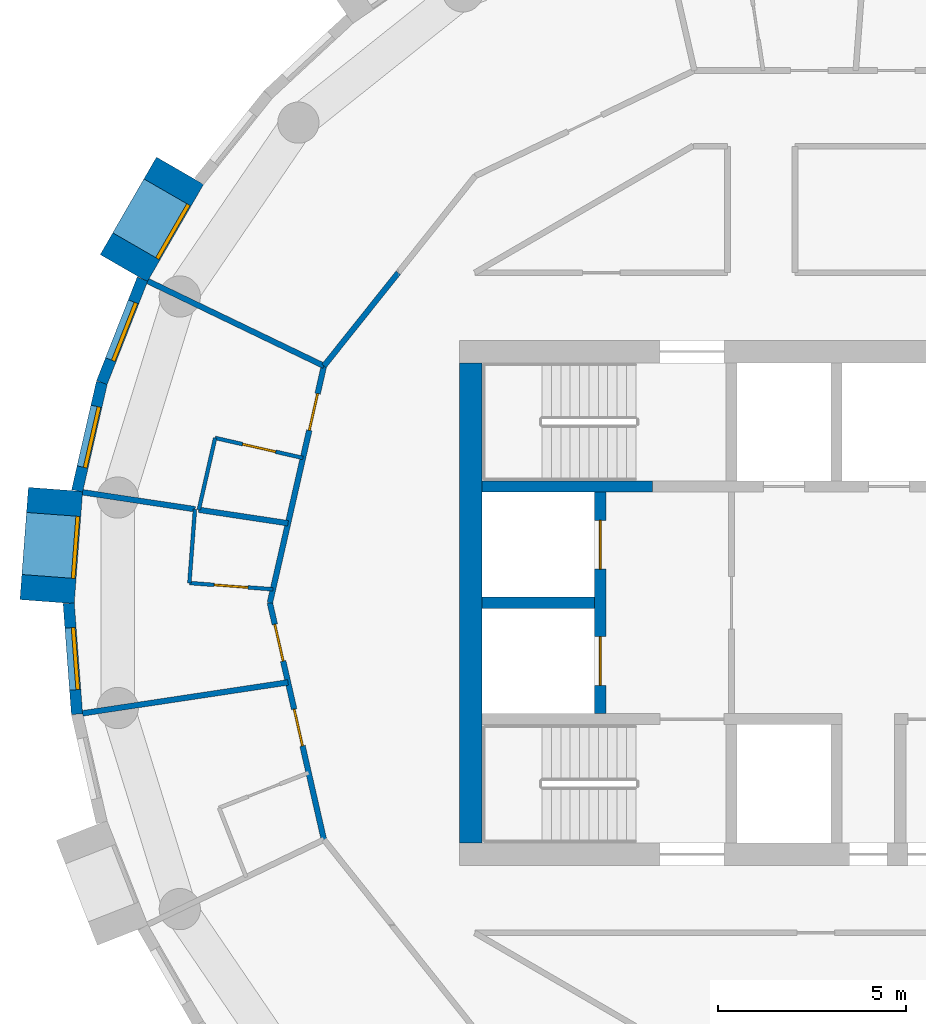
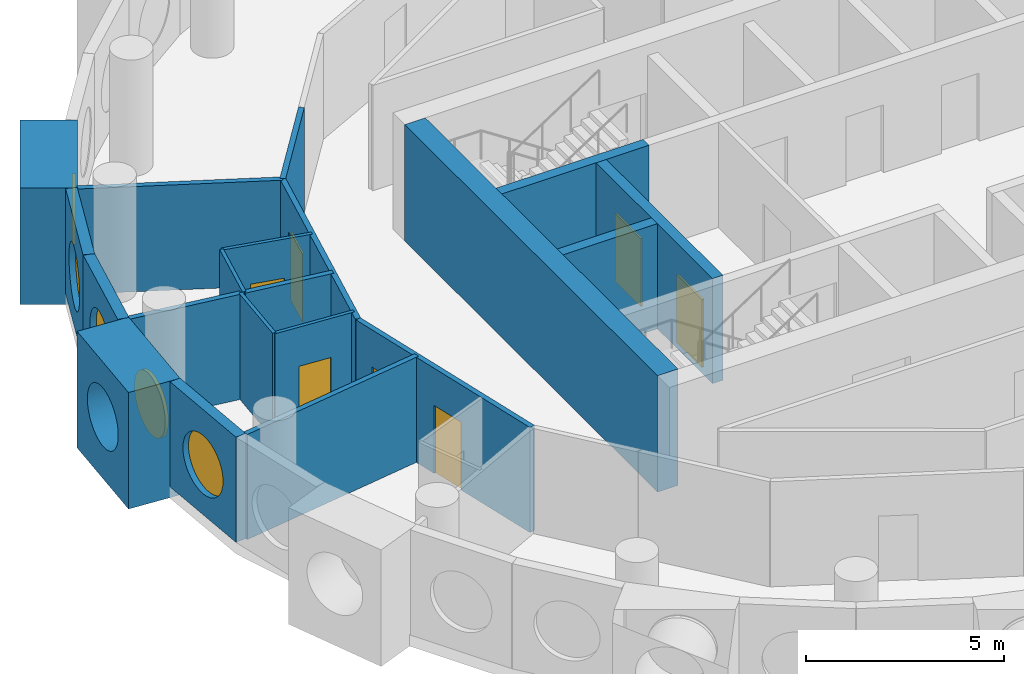
# One storey, part 5 of 12: 20 walls, 7 doors, 5 windows, 12 openings.
"""IFC4 building model written with IfcOpenShell, lengths in metres."""

from ifc_helpers import new_model, si_unit, direction, frame, frame_2d, origin, origin_2d, place, context, subcontext, project, spatial, rectangle, circle, extrude, material, layer, layer_set, type_object, element, fill, save


model = new_model("IFC4")

# Units and contexts
model_context = context("Model", 3, precision=1e-05, world=origin(), true_north=direction((0.0, 1.0)))
body_context = subcontext(model_context, "Body", "Model", "MODEL_VIEW")
ifc_project = project(units=[si_unit("LENGTHUNIT", "METRE"), si_unit("AREAUNIT", "SQUARE_METRE"), si_unit("VOLUMEUNIT", "CUBIC_METRE"), si_unit("PLANEANGLEUNIT", "RADIAN"), si_unit("MASSUNIT", "GRAM", prefix="KILO")], contexts=[model_context])

# Site, building, storey
site_placement = place(None, origin())
site = spatial("IfcSite", under=ifc_project, at=site_placement, CompositionType="ELEMENT")
building_placement = place(site_placement, origin())
building = spatial("IfcBuilding", under=site, at=building_placement, Name="Tracery Tower", CompositionType="ELEMENT")
storey_placement = place(building_placement, frame((0.0, 0.0, 241.800048828125)))
storey = spatial("IfcBuildingStorey", under=building, at=storey_placement, Name="L62", CompositionType="ELEMENT", Elevation=241.800048828125)

# Wall
ifc_material_1 = material(Name="Concrete C40/50", Category="concrete")
ifc_layer_1 = layer(ifc_material_1, 0.60009765625)
ifc_layer_set_1 = layer_set([ifc_layer_1], Name="Core wall 600 C40")
wall_type_1 = type_object("IfcWallType", Name="Core wall 600 C40", PredefinedType="SOLIDWALL", material=ifc_layer_set_1)
wall_1_placement = place(storey_placement, frame((-9.199951171875, -6.39990234375, 0.0), z_axis=(0.0, 0.0, 1.0), x_axis=(0.0, 1.0, 0.0)))
element("IfcWall", 1, at=wall_1_placement, inside=storey, type_object=wall_type_1, Name="L62 outer W", PredefinedType="SOLIDWALL", context=body_context, shape_type="SweptSolid", body=[
    extrude(rectangle(XDim=12.7998046875, YDim=0.60009765625, at=frame_2d((6.39990234375, 0.0))), origin(), (0.0, 0.0, 1.0), 3.599853515625),
])

# Wall, opening, window
ifc_material_2 = material(Name="Precast concrete C50/60", Category="concrete")
ifc_layer_2 = layer(ifc_material_2, 1.449951171875)
ifc_layer_set_2 = layer_set([ifc_layer_2], Name="Deep-set bay unit 3000 x 3600, slab edge 350")
wall_type_2 = type_object("IfcWallType", Name="Deep-set bay unit 3000 x 3600, slab edge 350", PredefinedType="ELEMENTEDWALL", material=ifc_layer_set_2)
wall_2_placement = place(storey_placement, frame((-16.952392578125, 11.51953125, -0.35009765625), z_axis=(0.0, 0.0, 1.0), x_axis=(-0.499990139034, -0.866031096941, 0.0)))
wall_2 = element("IfcWall", 2, at=wall_2_placement, inside=storey, type_object=wall_type_2, Name="Deep-set bay unit 18 at L62", PredefinedType="ELEMENTEDWALL", context=body_context, shape_type="SweptSolid", body=[
    extrude(rectangle(XDim=3.0, YDim=1.449951171875, at=frame_2d((1.5, 0.0))), origin(), (0.0, 0.0, 1.0), 3.60009765625),
])
opening_1_placement = place(wall_2_placement, frame((1.5, 0.0, 1.89990234375)))
opening_1 = element("IfcOpeningElement", 3, at=opening_1_placement, cuts=wall_2, Name="Opening WN1", PredefinedType="OPENING", context=body_context, shape_type="SweptSolid", body=[
    extrude(circle(Radius=0.9000244140625, at=origin_2d()), frame((0.0, 0.73486328125, 0.0), z_axis=(0.0, -1.0, 0.0), x_axis=(1.0, 0.0, 0.0)), (0.0, 0.0, 1.0), 1.469970703125),
])
ifc_material_3 = material(Name="Aluminium frame with tinted double glazing", Category="aluminium")
window_type = type_object("IfcWindowType", Name="Round window 1800", PartitioningType="SINGLE_PANEL", PredefinedType="WINDOW", material=ifc_material_3)
window_1_placement = place(opening_1_placement, origin())
window_1 = element("IfcWindow", 4, at=window_1_placement, inside=storey, type_object=window_type, Name="Round window 18 at L62", OverallHeight=1.800048828125, OverallWidth=1.800048828125, PartitioningType="SINGLE_PANEL", PredefinedType="WINDOW", context=body_context, shape_type="SweptSolid", body=[
    extrude(circle(Radius=0.9000244140625, at=origin_2d()), frame((0.0, 0.69482421875, 0.0), z_axis=(0.0, -1.0, 0.0), x_axis=(1.0, 0.0, 0.0)), (0.0, 0.0, 1.0), 0.10009765625),
])
fill(opening_1, window_1)

wall_3_placement = place(storey_placement, frame((-20.271728515625, 3.0234375, -0.35009765625), z_axis=(0.0, 0.0, 1.0), x_axis=(-0.074785902127, -0.997199613339, 0.0)))
wall_3 = element("IfcWall", 5, at=wall_3_placement, inside=storey, type_object=wall_type_2, Name="Deep-set bay unit 21 at L62", PredefinedType="ELEMENTEDWALL", context=body_context, shape_type="SweptSolid", body=[
    extrude(rectangle(XDim=3.0, YDim=1.449951171875, at=frame_2d((1.5, 0.0))), origin(), (0.0, 0.0, 1.0), 3.60009765625),
])
opening_2_placement = place(wall_3_placement, frame((1.5, 0.0, 1.89990234375)))
opening_2 = element("IfcOpeningElement", 6, at=opening_2_placement, cuts=wall_3, Name="Opening WN1", PredefinedType="OPENING", context=body_context, shape_type="SweptSolid", body=[
    extrude(circle(Radius=0.9000244140625, at=origin_2d()), frame((0.0, 0.73486328125, 0.0), z_axis=(0.0, -1.0, 0.0), x_axis=(1.0, 0.0, 0.0)), (0.0, 0.0, 1.0), 1.469970703125),
])
window_2_placement = place(opening_2_placement, origin())
window_2 = element("IfcWindow", 7, at=window_2_placement, inside=storey, type_object=window_type, Name="Round window 21 at L62", OverallHeight=1.800048828125, OverallWidth=1.800048828125, PartitioningType="SINGLE_PANEL", PredefinedType="WINDOW", context=body_context, shape_type="SweptSolid", body=[
    extrude(circle(Radius=0.9000244140625, at=origin_2d()), frame((0.0, 0.69482421875, 0.0), z_axis=(0.0, -1.0, 0.0), x_axis=(1.0, 0.0, 0.0)), (0.0, 0.0, 1.0), 0.10009765625),
])
fill(opening_2, window_2)

ifc_material_4 = material(Name="Precast concrete C50/60", Category="concrete")
ifc_layer_3 = layer(ifc_material_4, 0.300048828125)
ifc_layer_set_3 = layer_set([ifc_layer_3], Name="Facade panel 3000 x 3250")
wall_type_3 = type_object("IfcWallType", Name="Facade panel 3000 x 3250", PredefinedType="SOLIDWALL", material=ifc_layer_set_3)
wall_4_placement = place(storey_placement, frame((-17.95458984375, 8.62939453125, 0.0), z_axis=(0.0, 0.0, 1.0), x_axis=(-0.36530043032, -0.930889679612, 0.0)))
wall_4 = element("IfcWall", 8, at=wall_4_placement, inside=storey, type_object=wall_type_3, Name="Facade panel 19 at L62", PredefinedType="SOLIDWALL", context=body_context, shape_type="SweptSolid", body=[
    extrude(rectangle(XDim=2.9619140625, YDim=0.300048828125, at=frame_2d((1.48095703125, 0.0))), origin(), (0.0, 0.0, 1.0), 3.25),
])
opening_3_placement = place(wall_4_placement, frame((1.48095703125, 0.0, 1.5498046875)))
opening_3 = element("IfcOpeningElement", 9, at=opening_3_placement, cuts=wall_4, Name="Opening WN1", PredefinedType="OPENING", context=body_context, shape_type="SweptSolid", body=[
    extrude(circle(Radius=0.9000244140625, at=origin_2d()), frame((0.0, 0.159912109375, 0.0), z_axis=(0.0, -1.0, 0.0), x_axis=(1.0, 0.0, 0.0)), (0.0, 0.0, 1.0), 0.320068359375),
])
window_3_placement = place(opening_3_placement, origin())
window_3 = element("IfcWindow", 10, at=window_3_placement, inside=storey, type_object=window_type, Name="Round window 19 at L62", OverallHeight=1.800048828125, OverallWidth=1.800048828125, PartitioningType="SINGLE_PANEL", PredefinedType="WINDOW", context=body_context, shape_type="SweptSolid", body=[
    extrude(circle(Radius=0.9000244140625, at=origin_2d()), frame((0.0, 0.1201171875, 0.0), z_axis=(0.0, -1.0, 0.0), x_axis=(1.0, 0.0, 0.0)), (0.0, 0.0, 1.0), 0.10009765625),
])
fill(opening_3, window_3)

wall_5_placement = place(storey_placement, frame((-19.03662109375, 5.8720703125, 0.0), z_axis=(0.0, 0.0, 1.0), x_axis=(-0.222529389789, -0.974925982155, 0.0)))
wall_5 = element("IfcWall", 11, at=wall_5_placement, inside=storey, type_object=wall_type_3, Name="Facade panel 20 at L62", PredefinedType="SOLIDWALL", context=body_context, shape_type="SweptSolid", body=[
    extrude(rectangle(XDim=2.962158203125, YDim=0.300048828125, at=frame_2d((1.48095703125, 0.0))), origin(), (0.0, 0.0, 1.0), 3.25),
])
opening_4_placement = place(wall_5_placement, frame((1.48095703125, 0.0, 1.5498046875)))
opening_4 = element("IfcOpeningElement", 12, at=opening_4_placement, cuts=wall_5, Name="Opening WN1", PredefinedType="OPENING", context=body_context, shape_type="SweptSolid", body=[
    extrude(circle(Radius=0.9000244140625, at=origin_2d()), frame((0.0, 0.159912109375, 0.0), z_axis=(0.0, -1.0, 0.0), x_axis=(1.0, 0.0, 0.0)), (0.0, 0.0, 1.0), 0.320068359375),
])
window_4_placement = place(opening_4_placement, origin())
window_4 = element("IfcWindow", 13, at=window_4_placement, inside=storey, type_object=window_type, Name="Round window 20 at L62", OverallHeight=1.800048828125, OverallWidth=1.800048828125, PartitioningType="SINGLE_PANEL", PredefinedType="WINDOW", context=body_context, shape_type="SweptSolid", body=[
    extrude(circle(Radius=0.9000244140625, at=origin_2d()), frame((0.0, 0.1201171875, 0.0), z_axis=(0.0, -1.0, 0.0), x_axis=(1.0, 0.0, 0.0)), (0.0, 0.0, 1.0), 0.10009765625),
])
fill(opening_4, window_4)

wall_6_placement = place(storey_placement, frame((-19.920654296875, -0.01513671875, 0.0), z_axis=(0.0, 0.0, 1.0), x_axis=(0.07474897196, -0.997202382263, 0.0)))
wall_6 = element("IfcWall", 14, at=wall_6_placement, inside=storey, type_object=wall_type_3, Name="Facade panel 22 at L62", PredefinedType="SOLIDWALL", context=body_context, shape_type="SweptSolid", body=[
    extrude(rectangle(XDim=2.96240234375, YDim=0.300048828125, at=frame_2d((1.481201171875, 0.0))), origin(), (0.0, 0.0, 1.0), 3.25),
])
opening_5_placement = place(wall_6_placement, frame((1.48095703125, 0.0, 1.5498046875)))
opening_5 = element("IfcOpeningElement", 15, at=opening_5_placement, cuts=wall_6, Name="Opening WN1", PredefinedType="OPENING", context=body_context, shape_type="SweptSolid", body=[
    extrude(circle(Radius=0.9000244140625, at=origin_2d()), frame((0.0, 0.159912109375, 0.0), z_axis=(0.0, -1.0, 0.0), x_axis=(1.0, 0.0, 0.0)), (0.0, 0.0, 1.0), 0.320068359375),
])
window_5_placement = place(opening_5_placement, origin())
window_5 = element("IfcWindow", 16, at=window_5_placement, inside=storey, type_object=window_type, Name="Round window 22 at L62", OverallHeight=1.800048828125, OverallWidth=1.800048828125, PartitioningType="SINGLE_PANEL", PredefinedType="WINDOW", context=body_context, shape_type="SweptSolid", body=[
    extrude(circle(Radius=0.9000244140625, at=origin_2d()), frame((0.0, 0.1201171875, 0.0), z_axis=(0.0, -1.0, 0.0), x_axis=(1.0, 0.0, 0.0)), (0.0, 0.0, 1.0), 0.10009765625),
])
fill(opening_5, window_5)

# Wall, opening, door
ifc_material_5 = material(Name="Plasterboard on steel studs", Category="steel")
ifc_layer_4 = layer(ifc_material_5, 0.10009765625)
ifc_layer_set_4 = layer_set([ifc_layer_4], Name="Partition 100 wet wall")
wall_type_4 = type_object("IfcWallType", Name="Partition 100 wet wall", PredefinedType="PARTITIONING", material=ifc_layer_set_4)
wall_7_placement = place(storey_placement, frame((-16.014892578125, 4.39599609375, 0.0), z_axis=(0.0, 0.0, 1.0), x_axis=(0.97493862442, -0.222473995368, 0.0)))
wall_7 = element("IfcWall", 17, at=wall_7_placement, inside=storey, type_object=wall_type_4, Name="Wet wall RC2-056", PredefinedType="PARTITIONING", context=body_context, shape_type="SweptSolid", body=[
    extrude(rectangle(XDim=2.39990234375, YDim=0.10009765625, at=frame_2d((1.199951171875, 0.0))), origin(), (0.0, 0.0, 1.0), 3.25),
])
opening_6_placement = place(wall_7_placement, frame((0.750244140625, 0.0, 0.0)))
opening_6 = element("IfcOpeningElement", 18, at=opening_6_placement, cuts=wall_7, Name="Opening RC2-12", PredefinedType="OPENING", context=body_context, shape_type="SweptSolid", body=[
    extrude(rectangle(XDim=0.89990234375, YDim=2.0400390625, at=frame_2d((0.449951171875, 1.02001953125))), frame((0.0, 0.050048828125, 0.0), z_axis=(0.0, -1.0, 0.0), x_axis=(1.0, 0.0, 0.0)), (0.0, 0.0, 1.0), 0.10009765625),
])
ifc_material_6 = material(Name="Timber door leaf", Category="wood")
door_type_1 = type_object("IfcDoorType", Name="Door en-suite 900", OperationType="NOTDEFINED", PredefinedType="DOOR", material=ifc_material_6)
door_1_placement = place(opening_6_placement, origin())
door_1 = element("IfcDoor", 19, at=door_1_placement, inside=storey, type_object=door_type_1, Name="En-suite door RC2-12", OperationType="SINGLE_SWING_LEFT", OverallHeight=2.0400390625, OverallWidth=0.89990234375, PredefinedType="DOOR", context=body_context, shape_type="SweptSolid", body=[
    extrude(rectangle(XDim=0.89990234375, YDim=2.0400390625, at=frame_2d((0.449951171875, 1.02001953125))), frame((0.0, 0.02490234375, 0.0), z_axis=(0.0, -1.0, 0.0), x_axis=(1.0, 0.0, 0.0)), (0.0, 0.0, 1.0), 0.050048828125),
])
fill(opening_6, door_1)

# Walls
wall_8_placement = place(storey_placement, frame((-16.451904296875, 2.47998046875, 0.0), z_axis=(0.0, 0.0, 1.0), x_axis=(0.22237276708, 0.974961718459, 0.0)))
element("IfcWall", 20, at=wall_8_placement, inside=storey, type_object=wall_type_4, Name="Wet wall RC2-057", PredefinedType="PARTITIONING", context=body_context, shape_type="SweptSolid", body=[
    extrude(rectangle(XDim=1.96533203125, YDim=0.10009765625, at=frame_2d((0.982666015625, 0.0))), origin(), (0.0, 0.0, 1.0), 3.25),
])
wall_9_placement = place(storey_placement, frame((-16.702880859375, 0.527099609375, 0.0), z_axis=(0.0, 0.0, 1.0), x_axis=(0.07496524071, 0.99718614746, 0.0)))
element("IfcWall", 21, at=wall_9_placement, inside=storey, type_object=wall_type_4, Name="Wet wall RC2-060", PredefinedType="PARTITIONING", context=body_context, shape_type="SweptSolid", body=[
    extrude(rectangle(XDim=1.9736328125, YDim=0.10009765625, at=frame_2d((0.98681640625, 0.0))), origin(), (0.0, 0.0, 1.0), 3.25),
])

# Wall, opening, door
wall_10_placement = place(storey_placement, frame((-16.702880859375, 0.527099609375, 0.0), z_axis=(0.0, 0.0, 1.0), x_axis=(0.997202365433, -0.074749196488, 0.0)))
wall_10 = element("IfcWall", 22, at=wall_10_placement, inside=storey, type_object=wall_type_4, Name="Wet wall RC2-061", PredefinedType="PARTITIONING", context=body_context, shape_type="SweptSolid", body=[
    extrude(rectangle(XDim=2.234130859375, YDim=0.10009765625, at=frame_2d((1.1171875, 0.0))), origin(), (0.0, 0.0, 1.0), 3.25),
])
opening_7_placement = place(wall_10_placement, frame((0.6669921875, 0.0, 0.0)))
opening_7 = element("IfcOpeningElement", 23, at=opening_7_placement, cuts=wall_10, Name="Opening RC2-14", PredefinedType="OPENING", context=body_context, shape_type="SweptSolid", body=[
    extrude(rectangle(XDim=0.89990234375, YDim=2.0400390625, at=frame_2d((0.449951171875, 1.02001953125))), frame((0.0, 0.050048828125, 0.0), z_axis=(0.0, -1.0, 0.0), x_axis=(1.0, 0.0, 0.0)), (0.0, 0.0, 1.0), 0.10009765625),
])
door_2_placement = place(opening_7_placement, origin())
door_2 = element("IfcDoor", 24, at=door_2_placement, inside=storey, type_object=door_type_1, Name="En-suite door RC2-14", OperationType="SINGLE_SWING_LEFT", OverallHeight=2.0400390625, OverallWidth=0.89990234375, PredefinedType="DOOR", context=body_context, shape_type="SweptSolid", body=[
    extrude(rectangle(XDim=0.89990234375, YDim=2.0400390625, at=frame_2d((0.449951171875, 1.02001953125))), frame((0.0, 0.02490234375, 0.0), z_axis=(0.0, -1.0, 0.0), x_axis=(1.0, 0.0, 0.0)), (0.0, 0.0, 1.0), 0.050048828125),
])
fill(opening_7, door_2)

# Walls
ifc_material_7 = material(Name="Plasterboard on steel studs", Category="steel")
ifc_layer_5 = layer(ifc_material_7, 0.14990234375)
ifc_layer_set_5 = layer_set([ifc_layer_5], Name="Partition 150 acoustic unit wall")
wall_type_5 = type_object("IfcWallType", Name="Partition 150 acoustic unit wall", PredefinedType="PARTITIONING", material=ifc_layer_set_5)
wall_11_placement = place(storey_placement, frame((-17.81298828125, 8.577880859375, 0.0), z_axis=(0.0, 0.0, 1.0), x_axis=(0.901004381064, -0.433809987557, 0.0)))
element("IfcWall", 25, at=wall_11_placement, inside=storey, type_object=wall_type_5, Name="Unit wall RC2-055", PredefinedType="PARTITIONING", context=body_context, shape_type="SweptSolid", body=[
    extrude(rectangle(XDim=5.214111328125, YDim=0.14990234375, at=frame_2d((2.60693359375, 0.0))), origin(), (0.0, 0.0, 1.0), 3.25),
])
wall_12_placement = place(storey_placement, frame((-19.551025390625, 2.947021484375, 0.0), z_axis=(0.0, 0.0, 1.0), x_axis=(0.988844081525, -0.14895429646, 0.0)))
element("IfcWall", 26, at=wall_12_placement, inside=storey, type_object=wall_type_5, Name="Unit wall RC2-058", PredefinedType="PARTITIONING", context=body_context, shape_type="SweptSolid", body=[
    extrude(rectangle(XDim=3.033935546875, YDim=0.14990234375, at=frame_2d((1.51708984375, 0.0))), origin(), (0.0, 0.0, 1.0), 3.25),
])
wall_13_placement = place(storey_placement, frame((-16.451904296875, 2.47998046875, 0.0), z_axis=(0.0, 0.0, 1.0), x_axis=(0.988810951618, -0.149174065977, 0.0)))
element("IfcWall", 27, at=wall_13_placement, inside=storey, type_object=wall_type_5, Name="Unit wall RC2-059", PredefinedType="PARTITIONING", context=body_context, shape_type="SweptSolid", body=[
    extrude(rectangle(XDim=2.40576171875, YDim=0.14990234375, at=frame_2d((1.202880859375, 0.0))), origin(), (0.0, 0.0, 1.0), 3.25),
])
wall_14_placement = place(storey_placement, frame((-19.551025390625, -2.947021484375, 0.0), z_axis=(0.0, 0.0, 1.0), x_axis=(0.988824228734, 0.149086031099, 0.0)))
element("IfcWall", 28, at=wall_14_placement, inside=storey, type_object=wall_type_5, Name="Unit wall RC2-062", PredefinedType="PARTITIONING", context=body_context, shape_type="SweptSolid", body=[
    extrude(rectangle(XDim=5.5400390625, YDim=0.14990234375, at=frame_2d((2.77001953125, 0.0))), origin(), (0.0, 0.0, 1.0), 3.25),
])
ifc_material_8 = material(Name="Plasterboard on steel studs", Category="steel")
ifc_layer_6 = layer(ifc_material_8, 0.14990234375)
ifc_layer_set_6 = layer_set([ifc_layer_6], Name="Partition 150 corridor wall")
wall_type_6 = type_object("IfcWallType", Name="Partition 150 corridor wall", PredefinedType="PARTITIONING", material=ifc_layer_set_6)
wall_15_placement = place(storey_placement, frame((-13.114990234375, 6.31591796875, 0.0), z_axis=(0.0, 0.0, 1.0), x_axis=(0.623476099415, 0.781842409606, 0.0)))
element("IfcWall", 29, at=wall_15_placement, inside=storey, type_object=wall_type_6, Name="Corridor wall RC2-033", PredefinedType="PARTITIONING", context=body_context, shape_type="SweptSolid", body=[
    extrude(rectangle(XDim=3.17724609375, YDim=0.14990234375, at=frame_2d((1.588623046875, 0.0))), origin(), (0.0, 0.0, 1.0), 3.25),
])

# Wall, opening, door
wall_16_placement = place(storey_placement, frame((-14.556640625, 0.0, 0.0), z_axis=(0.0, 0.0, 1.0), x_axis=(0.222533159771, 0.974925121639, 0.0)))
wall_16 = element("IfcWall", 30, at=wall_16_placement, inside=storey, type_object=wall_type_6, Name="Corridor wall RC2-034", PredefinedType="PARTITIONING", context=body_context, shape_type="SweptSolid", body=[
    extrude(rectangle(XDim=6.478271484375, YDim=0.14990234375, at=frame_2d((3.2392578125, 0.0))), origin(), (0.0, 0.0, 1.0), 3.25),
])
opening_8_placement = place(wall_16_placement, frame((4.71826171875, 0.0, 0.0)))
opening_8 = element("IfcOpeningElement", 31, at=opening_8_placement, cuts=wall_16, Name="Opening RC2-13", PredefinedType="OPENING", context=body_context, shape_type="SweptSolid", body=[
    extrude(rectangle(XDim=1.0, YDim=2.10009765625, at=frame_2d((0.5, 1.050048828125))), frame((0.0, 0.074951171875, 0.0), z_axis=(0.0, -1.0, 0.0), x_axis=(1.0, 0.0, 0.0)), (0.0, 0.0, 1.0), 0.14990234375),
])
ifc_material_9 = material(Name="Timber door leaf", Category="wood")
door_type_2 = type_object("IfcDoorType", Name="Door unit entrance 1000", OperationType="NOTDEFINED", PredefinedType="DOOR", material=ifc_material_9)
door_3_placement = place(opening_8_placement, origin())
door_3 = element("IfcDoor", 32, at=door_3_placement, inside=storey, type_object=door_type_2, Name="Unit entrance door RC2-13", OperationType="SINGLE_SWING_RIGHT", OverallHeight=2.10009765625, OverallWidth=1.0, PredefinedType="DOOR", context=body_context, shape_type="SweptSolid", body=[
    extrude(rectangle(XDim=1.0, YDim=2.10009765625, at=frame_2d((0.5, 1.050048828125))), frame((0.0, 0.02490234375, 0.0), z_axis=(0.0, -1.0, 0.0), x_axis=(1.0, 0.0, 0.0)), (0.0, 0.0, 1.0), 0.050048828125),
])
fill(opening_8, door_3)

# Wall, openings, doors
wall_17_placement = place(storey_placement, frame((-14.556884765625, 0.0, 0.0), z_axis=(0.0, 0.0, 1.0), x_axis=(0.222489165471, -0.974935162587, 0.0)))
wall_17 = element("IfcWall", 33, at=wall_17_placement, inside=storey, type_object=wall_type_6, Name="Corridor wall RC2-035", PredefinedType="PARTITIONING", context=body_context, shape_type="SweptSolid", body=[
    extrude(rectangle(XDim=6.478515625, YDim=0.14990234375, at=frame_2d((3.2392578125, 0.0))), origin(), (0.0, 0.0, 1.0), 3.25),
])
opening_9_placement = place(wall_17_placement, frame((0.589599609375, 0.0, 0.0)))
opening_9 = element("IfcOpeningElement", 34, at=opening_9_placement, cuts=wall_17, Name="Opening RC2-15", PredefinedType="OPENING", context=body_context, shape_type="SweptSolid", body=[
    extrude(rectangle(XDim=1.0, YDim=2.10009765625, at=frame_2d((0.5, 1.050048828125))), frame((0.0, 0.074951171875, 0.0), z_axis=(0.0, -1.0, 0.0), x_axis=(1.0, 0.0, 0.0)), (0.0, 0.0, 1.0), 0.14990234375),
])
opening_10_placement = place(wall_17_placement, frame((2.91162109375, 0.0, 0.0)))
opening_10 = element("IfcOpeningElement", 35, at=opening_10_placement, cuts=wall_17, Name="Opening RC2-17", PredefinedType="OPENING", context=body_context, shape_type="SweptSolid", body=[
    extrude(rectangle(XDim=1.0, YDim=2.10009765625, at=frame_2d((0.5, 1.050048828125))), frame((0.0, 0.074951171875, 0.0), z_axis=(0.0, -1.0, 0.0), x_axis=(1.0, 0.0, 0.0)), (0.0, 0.0, 1.0), 0.14990234375),
])
door_4_placement = place(opening_9_placement, origin())
door_4 = element("IfcDoor", 36, at=door_4_placement, inside=storey, type_object=door_type_2, Name="Unit entrance door RC2-15", OperationType="SINGLE_SWING_RIGHT", OverallHeight=2.10009765625, OverallWidth=1.0, PredefinedType="DOOR", context=body_context, shape_type="SweptSolid", body=[
    extrude(rectangle(XDim=1.0, YDim=2.10009765625, at=frame_2d((0.5, 1.050048828125))), frame((0.0, 0.02490234375, 0.0), z_axis=(0.0, -1.0, 0.0), x_axis=(1.0, 0.0, 0.0)), (0.0, 0.0, 1.0), 0.050048828125),
])
fill(opening_9, door_4)
door_5_placement = place(opening_10_placement, origin())
door_5 = element("IfcDoor", 37, at=door_5_placement, inside=storey, type_object=door_type_2, Name="Unit entrance door RC2-17", OperationType="SINGLE_SWING_LEFT", OverallHeight=2.10009765625, OverallWidth=1.0, PredefinedType="DOOR", context=body_context, shape_type="SweptSolid", body=[
    extrude(rectangle(XDim=1.0, YDim=2.10009765625, at=frame_2d((0.5, 1.050048828125))), frame((0.0, 0.02490234375, 0.0), z_axis=(0.0, -1.0, 0.0), x_axis=(1.0, 0.0, 0.0)), (0.0, 0.0, 1.0), 0.050048828125),
])
fill(opening_10, door_5)

# Wall
ifc_material_10 = material(Name="Concrete C40/50", Category="concrete")
ifc_layer_7 = layer(ifc_material_10, 0.300048828125)
ifc_layer_set_7 = layer_set([ifc_layer_7], Name="Shaft wall 300 C40")
wall_type_7 = type_object("IfcWallType", Name="Shaft wall 300 C40", PredefinedType="SOLIDWALL", material=ifc_layer_set_7)
wall_18_placement = place(storey_placement, frame((-8.89990234375, 0.0, 0.0), z_axis=(0.0, 0.0, 1.0), x_axis=(1.0, 0.0, 0.0)))
element("IfcWall", 38, at=wall_18_placement, inside=storey, type_object=wall_type_7, Name="L62 FF split", PredefinedType="SOLIDWALL", context=body_context, shape_type="SweptSolid", body=[
    extrude(rectangle(XDim=3.0, YDim=0.300048828125, at=frame_2d((1.5, 0.0))), origin(), (0.0, 0.0, 1.0), 3.25),
])

# Wall, openings, doors
wall_19_placement = place(storey_placement, frame((-5.75, -2.949951171875, 0.0), z_axis=(0.0, 0.0, 1.0), x_axis=(0.0, 1.0, 0.0)))
wall_19 = element("IfcWall", 39, at=wall_19_placement, inside=storey, type_object=wall_type_7, Name="L62 FF doors", PredefinedType="SOLIDWALL", context=body_context, shape_type="SweptSolid", body=[
    extrude(rectangle(XDim=5.89990234375, YDim=0.300048828125, at=frame_2d((2.949951171875, 0.0))), origin(), (0.0, 0.0, 1.0), 3.25),
])
opening_11_placement = place(wall_19_placement, frame((0.75, 0.0, 0.0)))
opening_11 = element("IfcOpeningElement", 40, at=opening_11_placement, cuts=wall_19, Name="Opening KD54", PredefinedType="OPENING", context=body_context, shape_type="SweptSolid", body=[
    extrude(rectangle(XDim=1.300048828125, YDim=2.10009765625, at=frame_2d((0.64990234375, 1.050048828125))), frame((0.0, 0.14990234375, 0.0), z_axis=(0.0, -1.0, 0.0), x_axis=(1.0, 0.0, 0.0)), (0.0, 0.0, 1.0), 0.300048828125),
])
opening_12_placement = place(wall_19_placement, frame((3.85009765625, 0.0, 0.0)))
opening_12 = element("IfcOpeningElement", 41, at=opening_12_placement, cuts=wall_19, Name="Opening KD55", PredefinedType="OPENING", context=body_context, shape_type="SweptSolid", body=[
    extrude(rectangle(XDim=1.300048828125, YDim=2.10009765625, at=frame_2d((0.64990234375, 1.050048828125))), frame((0.0, 0.14990234375, 0.0), z_axis=(0.0, -1.0, 0.0), x_axis=(1.0, 0.0, 0.0)), (0.0, 0.0, 1.0), 0.300048828125),
])
ifc_material_11 = material(Name="Steel fire door", Category="steel")
door_type_3 = type_object("IfcDoorType", Name="Landing door FF 1300", OperationType="NOTDEFINED", PredefinedType="DOOR", material=ifc_material_11)
door_6_placement = place(opening_11_placement, origin())
door_6 = element("IfcDoor", 42, at=door_6_placement, inside=storey, type_object=door_type_3, Name="Landing door FF1", OperationType="SLIDING_TO_LEFT", OverallHeight=2.10009765625, OverallWidth=1.300048828125, PredefinedType="DOOR", context=body_context, shape_type="SweptSolid", body=[
    extrude(rectangle(XDim=1.300048828125, YDim=2.10009765625, at=frame_2d((0.64990234375, 1.050048828125))), frame((0.0, 0.02490234375, 0.0), z_axis=(0.0, -1.0, 0.0), x_axis=(1.0, 0.0, 0.0)), (0.0, 0.0, 1.0), 0.050048828125),
])
fill(opening_11, door_6)
door_7_placement = place(opening_12_placement, origin())
door_7 = element("IfcDoor", 43, at=door_7_placement, inside=storey, type_object=door_type_3, Name="Landing door FF2", OperationType="SLIDING_TO_RIGHT", OverallHeight=2.10009765625, OverallWidth=1.300048828125, PredefinedType="DOOR", context=body_context, shape_type="SweptSolid", body=[
    extrude(rectangle(XDim=1.300048828125, YDim=2.10009765625, at=frame_2d((0.64990234375, 1.050048828125))), frame((0.0, 0.02490234375, 0.0), z_axis=(0.0, -1.0, 0.0), x_axis=(1.0, 0.0, 0.0)), (0.0, 0.0, 1.0), 0.050048828125),
])
fill(opening_12, door_7)

# Wall
ifc_material_12 = material(Name="Concrete C40/50", Category="concrete")
ifc_layer_8 = layer(ifc_material_12, 0.300048828125)
ifc_layer_set_8 = layer_set([ifc_layer_8], Name="Stair wall 300 C40")
wall_type_8 = type_object("IfcWallType", Name="Stair wall 300 C40", PredefinedType="SOLIDWALL", material=ifc_layer_set_8)
wall_20_placement = place(storey_placement, frame((-8.89990234375, 3.10009765625, 0.0), z_axis=(0.0, 0.0, 1.0), x_axis=(1.0, 0.0, 0.0)))
element("IfcWall", 44, at=wall_20_placement, inside=storey, type_object=wall_type_8, Name="L62 row N W", PredefinedType="SOLIDWALL", context=body_context, shape_type="SweptSolid", body=[
    extrude(rectangle(XDim=4.5498046875, YDim=0.300048828125, at=frame_2d((2.27490234375, 0.0))), origin(), (0.0, 0.0, 1.0), 3.25),
])

save(model, "model.ifc")
